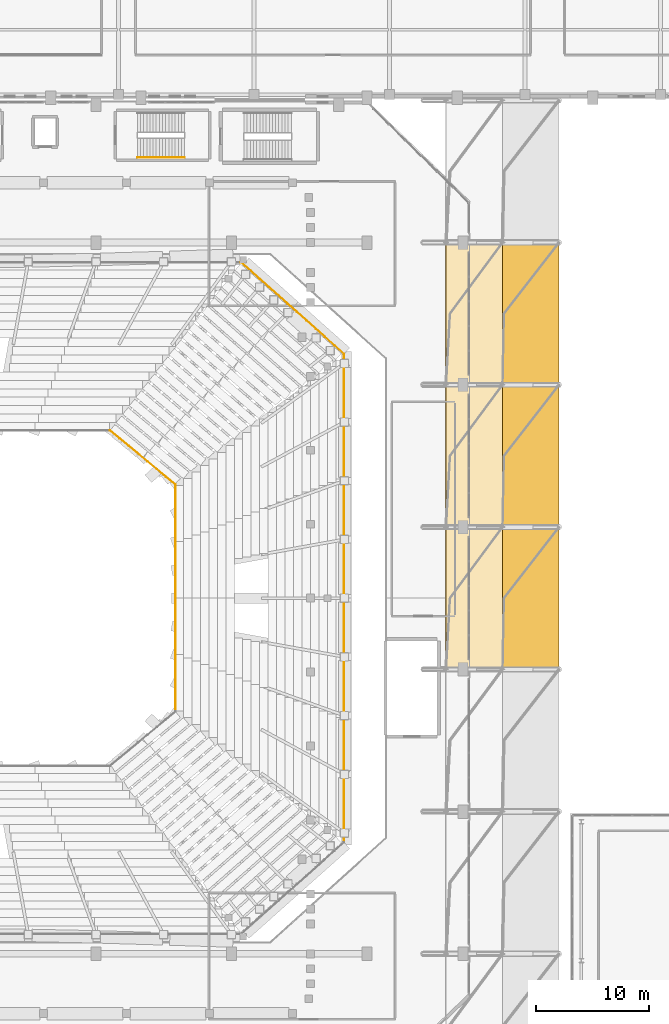
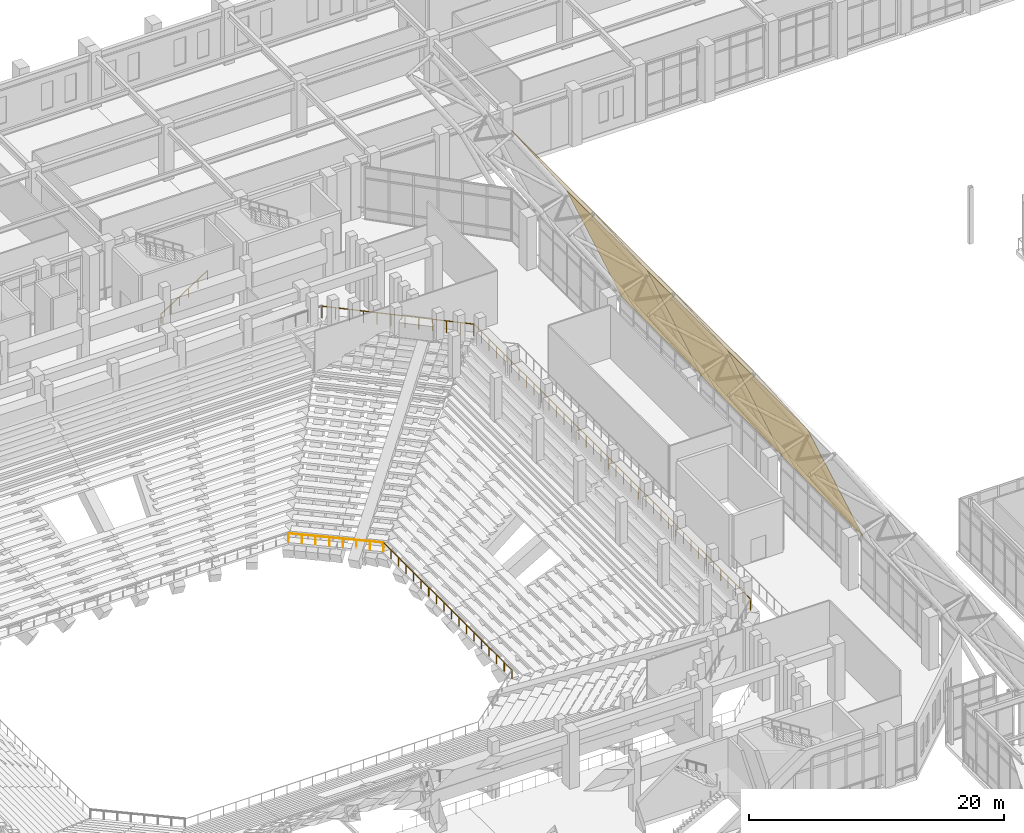
# One storey, part 152 of 159: 6 coverings, 5 railings.
"""IFC4 building model written with IfcOpenShell, lengths in metres."""

from ifc_helpers import new_model, si_unit, derived_unit, direction, frame, origin, origin_2d, place, context, subcontext, project, spatial, polyline, circle, outline, extrude, material, layer, layer_set, type_object, element, save


model = new_model("IFC4")

# Units and contexts
model_context = context("Model", 3, precision=1e-05, world=origin(), true_north=direction((0.0, 1.0)))
body_context = subcontext(model_context, "Body", "Model", "MODEL_VIEW")
ifc_project = project(units=[si_unit("LENGTHUNIT", "METRE"), si_unit("AREAUNIT", "SQUARE_METRE"), si_unit("VOLUMEUNIT", "CUBIC_METRE"), si_unit("PLANEANGLEUNIT", "RADIAN"), si_unit("MASSUNIT", "GRAM", prefix="KILO"), derived_unit("THERMALTRANSMITTANCEUNIT", [(si_unit("MASSUNIT", "GRAM", prefix="KILO"), 1), (si_unit("TIMEUNIT", "SECOND"), -3), (si_unit("THERMODYNAMICTEMPERATUREUNIT", "KELVIN"), -1)])], contexts=[model_context])

# Site, building, storey
site_placement = place(None, origin())
site = spatial("IfcSite", under=ifc_project, at=site_placement, CompositionType="ELEMENT")
building_placement = place(site_placement, origin())
building = spatial("IfcBuilding", under=site, at=building_placement, Name="Valcora Ridge Arena", CompositionType="ELEMENT")
storey_placement = place(building_placement, frame((0.0, 0.0, 6.0)))
storey = spatial("IfcBuildingStorey", under=building, at=storey_placement, Name="L01", CompositionType="ELEMENT", Elevation=6.0)

# Coverings
ifc_material_1 = material(Name="Weathered zinc-bronze standing-seam metal Grade Z275")
ifc_layer = layer(ifc_material_1, 0.0400390625, Name="Weathered zinc-bronze standing-seam metal Grade Z275")
ifc_layer_set = layer_set([ifc_layer], Name="Weathered zinc-bronze standing-seam metal Grade Z275")
covering_type = type_object("IfcCoveringType", Name="TY-COVERING-COV-ZINC-SKIRT", PredefinedType="ROOFING", material=ifc_layer_set)
covering_1_placement = place(storey_placement, frame((101.0, 57.800048828125, 13.49365234375), z_axis=(0.831958588032, 0.0, 0.554837731053), x_axis=(0.554837731053, 0.0, -0.831958588032)))
element("IfcCovering", 1, at=covering_1_placement, inside=storey, type_object=covering_type, Name="COV-ZINC-SKIRT COV-RF-0055", PredefinedType="ROOFING", context=body_context, shape_type="SweptSolid", body=[
    extrude(outline(polyline([(0.0, 0.0), (9.0116438017177, 0.0), (9.0116438017177, 12.599853515625), (0.0, 12.599853515625), (0.0, 0.0)])), origin(), (0.0, 0.0, -1.0), 0.0400390625),
])
covering_2_placement = place(storey_placement, frame((106.0, 57.800048828125, 5.996337890625), z_axis=(0.922302243293, 0.0, 0.386469367501), x_axis=(0.386469367501, 0.0, -0.922302243293)))
element("IfcCovering", 2, at=covering_2_placement, inside=storey, type_object=covering_type, Name="COV-ZINC-SKIRT COV-RF-0056", PredefinedType="ROOFING", context=body_context, shape_type="SweptSolid", body=[
    extrude(outline(polyline([(0.0, 0.0), (12.963536535956578, 0.0), (12.963536535956578, 12.599853515624996), (0.0, 12.599853515624996), (0.0, 0.0)])), origin(), (0.0, 0.0, -1.0), 0.0400390625),
])
covering_3_placement = place(storey_placement, frame((101.0, 70.39990234375, 13.49365234375), z_axis=(0.831958588032, 0.0, 0.554837731053), x_axis=(0.554837731053, 0.0, -0.831958588032)))
element("IfcCovering", 3, at=covering_3_placement, inside=storey, type_object=covering_type, Name="COV-ZINC-SKIRT COV-RF-0069", PredefinedType="ROOFING", context=body_context, shape_type="SweptSolid", body=[
    extrude(outline(polyline([(0.0, 0.0), (9.0116438017177, 0.0), (9.0116438017177, 12.60009765625), (0.0, 12.60009765625), (0.0, 0.0)])), origin(), (0.0, 0.0, -1.0), 0.0400390625),
])
covering_4_placement = place(storey_placement, frame((106.0, 70.39990234375, 5.996337890625), z_axis=(0.922302243293, 0.0, 0.386469367501), x_axis=(0.386469367501, 0.0, -0.922302243293)))
element("IfcCovering", 4, at=covering_4_placement, inside=storey, type_object=covering_type, Name="COV-ZINC-SKIRT COV-RF-0070", PredefinedType="ROOFING", context=body_context, shape_type="SweptSolid", body=[
    extrude(outline(polyline([(0.0, 0.0), (12.963536535956582, 0.0), (12.963536535956582, 12.600097656250004), (0.0, 12.600097656250004), (0.0, 0.0)])), origin(), (0.0, 0.0, -1.0), 0.0400390625),
])
covering_5_placement = place(storey_placement, frame((101.0, 83.0, 13.49365234375), z_axis=(0.831958588032, 0.0, 0.554837731053), x_axis=(0.554837731053, 0.0, -0.831958588032)))
element("IfcCovering", 5, at=covering_5_placement, inside=storey, type_object=covering_type, Name="COV-ZINC-SKIRT COV-RF-0083", PredefinedType="ROOFING", context=body_context, shape_type="SweptSolid", body=[
    extrude(outline(polyline([(0.0, 0.0), (9.0116438017177, 0.0), (9.0116438017177, 12.60009765625), (0.0, 12.60009765625), (0.0, 0.0)])), origin(), (0.0, 0.0, -1.0), 0.0400390625),
])
covering_6_placement = place(storey_placement, frame((106.0, 83.0, 5.996337890625), z_axis=(0.922302243293, 0.0, 0.386469367501), x_axis=(0.386469367501, 0.0, -0.922302243293)))
element("IfcCovering", 6, at=covering_6_placement, inside=storey, type_object=covering_type, Name="COV-ZINC-SKIRT COV-RF-0084", PredefinedType="ROOFING", context=body_context, shape_type="SweptSolid", body=[
    extrude(outline(polyline([(0.0, 0.0), (12.963536535956582, 0.0), (12.963536535956582, 12.600097656250004), (0.0, 12.600097656250004), (0.0, 0.0)])), origin(), (0.0, 0.0, -1.0), 0.0400390625),
])

# Railings
ifc_material_2 = material(Name="Galvanized painted steel ASTM A500 Grade B", Category="steel")
railing_type_1 = type_object("IfcRailingType", Name="TY-RAILING-BAL-BOWL-850", PredefinedType="BALUSTRADE", material=ifc_material_2)
railing_1_placement = place(storey_placement, frame((77.050048828125, 54.050048828125, -5.39990234375)))
element("IfcRailing", 7, at=railing_1_placement, inside=storey, type_object=railing_type_1, Name="BAL-BOWL-850 RAL-BW-0003", PredefinedType="BALUSTRADE", context=body_context, shape_type="SweptSolid", body=[
    extrude(circle(Radius=0.02392578125, at=origin_2d()), frame((0.0, 0.0, 0.826171875), z_axis=(0.0, 1.0, 0.0), x_axis=(-1.0, 0.0, 0.0)), (0.0, 0.0, 1.0), 20.099853515625),
    extrude(circle(Radius=0.02099609375, at=origin_2d()), origin(), (0.0, 0.0, 1.0), 0.802001953125),
    extrude(circle(Radius=0.02099609375, at=origin_2d()), frame((0.0, 1.182373046875, 0.0)), (0.0, 0.0, 1.0), 0.802001953125),
    extrude(circle(Radius=0.02099609375, at=origin_2d()), frame((0.0, 2.36474609375, 0.0)), (0.0, 0.0, 1.0), 0.802001953125),
    extrude(circle(Radius=0.02099609375, at=origin_2d()), frame((0.0, 3.547119140625, 0.0)), (0.0, 0.0, 1.0), 0.802001953125),
    extrude(circle(Radius=0.02099609375, at=origin_2d()), frame((0.0, 4.7294921875, 0.0)), (0.0, 0.0, 1.0), 0.802001953125),
    extrude(circle(Radius=0.02099609375, at=origin_2d()), frame((0.0, 5.91162109375, 0.0)), (0.0, 0.0, 1.0), 0.802001953125),
    extrude(circle(Radius=0.02099609375, at=origin_2d()), frame((0.0, 7.093994140625, 0.0)), (0.0, 0.0, 1.0), 0.802001953125),
    extrude(circle(Radius=0.02099609375, at=origin_2d()), frame((0.0, 8.2763671875, 0.0)), (0.0, 0.0, 1.0), 0.802001953125),
    extrude(circle(Radius=0.02099609375, at=origin_2d()), frame((0.0, 9.458740234375, 0.0)), (0.0, 0.0, 1.0), 0.802001953125),
    extrude(circle(Radius=0.02099609375, at=origin_2d()), frame((0.0, 10.64111328125, 0.0)), (0.0, 0.0, 1.0), 0.802001953125),
    extrude(circle(Radius=0.02099609375, at=origin_2d()), frame((0.0, 11.823486328125, 0.0)), (0.0, 0.0, 1.0), 0.802001953125),
    extrude(circle(Radius=0.02099609375, at=origin_2d()), frame((0.0, 13.005859375, 0.0)), (0.0, 0.0, 1.0), 0.802001953125),
    extrude(circle(Radius=0.02099609375, at=origin_2d()), frame((0.0, 14.188232421875, 0.0)), (0.0, 0.0, 1.0), 0.802001953125),
    extrude(circle(Radius=0.02099609375, at=origin_2d()), frame((0.0, 15.370361328125, 0.0)), (0.0, 0.0, 1.0), 0.802001953125),
    extrude(circle(Radius=0.02099609375, at=origin_2d()), frame((0.0, 16.552734375, 0.0)), (0.0, 0.0, 1.0), 0.802001953125),
    extrude(circle(Radius=0.02099609375, at=origin_2d()), frame((0.0, 17.735107421875, 0.0)), (0.0, 0.0, 1.0), 0.802001953125),
    extrude(circle(Radius=0.02099609375, at=origin_2d()), frame((0.0, 18.91748046875, 0.0)), (0.0, 0.0, 1.0), 0.802001953125),
    extrude(circle(Radius=0.02099609375, at=origin_2d()), frame((0.0, 20.099853515625, 0.0)), (0.0, 0.0, 1.0), 0.802001953125),
])
railing_2_placement = place(storey_placement, frame((77.050048828125, 74.14990234375, -5.39990234375)))
element("IfcRailing", 8, at=railing_2_placement, inside=storey, type_object=railing_type_1, Name="BAL-BOWL-850 RAL-BW-0004", PredefinedType="BALUSTRADE", context=body_context, shape_type="SweptSolid", body=[
    extrude(circle(Radius=0.02392578125, at=origin_2d()), frame((0.0, 0.0, 0.826171875), z_axis=(-0.770393771884, 0.6375683777, 0.0), x_axis=(-0.6375683777, -0.770393771884, 0.0)), (0.0, 0.0, 1.0), 7.528564453125),
    extrude(circle(Radius=0.02099609375, at=origin_2d()), origin(), (0.0, 0.0, 1.0), 0.802001953125),
    extrude(circle(Radius=0.02099609375, at=origin_2d()), frame((-0.82861328125, 0.685791015625, 0.0)), (0.0, 0.0, 1.0), 0.802001953125),
    extrude(circle(Radius=0.02099609375, at=origin_2d()), frame((-1.6572265625, 1.371337890625, 0.0)), (0.0, 0.0, 1.0), 0.802001953125),
    extrude(circle(Radius=0.02099609375, at=origin_2d()), frame((-2.48583984375, 2.05712890625, 0.0)), (0.0, 0.0, 1.0), 0.802001953125),
    extrude(circle(Radius=0.02099609375, at=origin_2d()), frame((-3.314208984375, 2.742919921875, 0.0)), (0.0, 0.0, 1.0), 0.802001953125),
    extrude(circle(Radius=0.02099609375, at=origin_2d()), frame((-4.142822265625, 3.4287109375, 0.0)), (0.0, 0.0, 1.0), 0.802001953125),
    extrude(circle(Radius=0.02099609375, at=origin_2d()), frame((-4.971435546875, 4.1142578125, 0.0)), (0.0, 0.0, 1.0), 0.802001953125),
    extrude(circle(Radius=0.02099609375, at=origin_2d()), frame((-5.800048828125, 4.800048828125, 0.0)), (0.0, 0.0, 1.0), 0.802001953125),
])
railing_type_2 = type_object("IfcRailingType", Name="TY-RAILING-GRD-VOID-1120", PredefinedType="GUARDRAIL", material=ifc_material_2)
railing_3_placement = place(storey_placement, frame((91.949951171875, 42.449951171875, 2.9599609375)))
element("IfcRailing", 9, at=railing_3_placement, inside=storey, type_object=railing_type_2, Name="GRD-VOID-1120 RAL-BW-0011", PredefinedType="GUARDRAIL", context=body_context, shape_type="SweptSolid", body=[
    extrude(circle(Radius=0.02392578125, at=origin_2d()), frame((0.0, 0.0, 1.09619140625), z_axis=(0.0, 1.0, 0.0), x_axis=(-1.0, 0.0, 0.0)), (0.0, 0.0, 1.0), 43.300048828125),
    extrude(circle(Radius=0.02099609375, at=origin_2d()), origin(), (0.0, 0.0, 1.0), 1.072021484375),
    extrude(circle(Radius=0.02099609375, at=origin_2d()), frame((0.0, 1.170166015625, 0.0)), (0.0, 0.0, 1.0), 1.072021484375),
    extrude(circle(Radius=0.02099609375, at=origin_2d()), frame((0.0, 2.340576171875, 0.0)), (0.0, 0.0, 1.0), 1.072021484375),
    extrude(circle(Radius=0.02099609375, at=origin_2d()), frame((0.0, 3.5107421875, 0.0)), (0.0, 0.0, 1.0), 1.072021484375),
    extrude(circle(Radius=0.02099609375, at=origin_2d()), frame((0.0, 4.68115234375, 0.0)), (0.0, 0.0, 1.0), 1.072021484375),
    extrude(circle(Radius=0.02099609375, at=origin_2d()), frame((0.0, 5.851318359375, 0.0)), (0.0, 0.0, 1.0), 1.072021484375),
    extrude(circle(Radius=0.02099609375, at=origin_2d()), frame((0.0, 7.021728515625, 0.0)), (0.0, 0.0, 1.0), 1.072021484375),
    extrude(circle(Radius=0.02099609375, at=origin_2d()), frame((0.0, 8.19189453125, 0.0)), (0.0, 0.0, 1.0), 1.072021484375),
    extrude(circle(Radius=0.02099609375, at=origin_2d()), frame((0.0, 9.362060546875, 0.0)), (0.0, 0.0, 1.0), 1.072021484375),
    extrude(circle(Radius=0.02099609375, at=origin_2d()), frame((0.0, 10.532470703125, 0.0)), (0.0, 0.0, 1.0), 1.072021484375),
    extrude(circle(Radius=0.02099609375, at=origin_2d()), frame((0.0, 11.70263671875, 0.0)), (0.0, 0.0, 1.0), 1.072021484375),
    extrude(circle(Radius=0.02099609375, at=origin_2d()), frame((0.0, 12.873046875, 0.0)), (0.0, 0.0, 1.0), 1.072021484375),
    extrude(circle(Radius=0.02099609375, at=origin_2d()), frame((0.0, 14.043212890625, 0.0)), (0.0, 0.0, 1.0), 1.072021484375),
    extrude(circle(Radius=0.02099609375, at=origin_2d()), frame((0.0, 15.213623046875, 0.0)), (0.0, 0.0, 1.0), 1.072021484375),
    extrude(circle(Radius=0.02099609375, at=origin_2d()), frame((0.0, 16.3837890625, 0.0)), (0.0, 0.0, 1.0), 1.072021484375),
    extrude(circle(Radius=0.02099609375, at=origin_2d()), frame((0.0, 17.553955078125, 0.0)), (0.0, 0.0, 1.0), 1.072021484375),
    extrude(circle(Radius=0.02099609375, at=origin_2d()), frame((0.0, 18.724365234375, 0.0)), (0.0, 0.0, 1.0), 1.072021484375),
    extrude(circle(Radius=0.02099609375, at=origin_2d()), frame((0.0, 19.89453125, 0.0)), (0.0, 0.0, 1.0), 1.072021484375),
    extrude(circle(Radius=0.02099609375, at=origin_2d()), frame((0.0, 21.06494140625, 0.0)), (0.0, 0.0, 1.0), 1.072021484375),
    extrude(circle(Radius=0.02099609375, at=origin_2d()), frame((0.0, 22.235107421875, 0.0)), (0.0, 0.0, 1.0), 1.072021484375),
    extrude(circle(Radius=0.02099609375, at=origin_2d()), frame((0.0, 23.405517578125, 0.0)), (0.0, 0.0, 1.0), 1.072021484375),
    extrude(circle(Radius=0.02099609375, at=origin_2d()), frame((0.0, 24.57568359375, 0.0)), (0.0, 0.0, 1.0), 1.072021484375),
    extrude(circle(Radius=0.02099609375, at=origin_2d()), frame((0.0, 25.74609375, 0.0)), (0.0, 0.0, 1.0), 1.072021484375),
    extrude(circle(Radius=0.02099609375, at=origin_2d()), frame((0.0, 26.916259765625, 0.0)), (0.0, 0.0, 1.0), 1.072021484375),
    extrude(circle(Radius=0.02099609375, at=origin_2d()), frame((0.0, 28.08642578125, 0.0)), (0.0, 0.0, 1.0), 1.072021484375),
    extrude(circle(Radius=0.02099609375, at=origin_2d()), frame((0.0, 29.2568359375, 0.0)), (0.0, 0.0, 1.0), 1.072021484375),
    extrude(circle(Radius=0.02099609375, at=origin_2d()), frame((0.0, 30.427001953125, 0.0)), (0.0, 0.0, 1.0), 1.072021484375),
    extrude(circle(Radius=0.02099609375, at=origin_2d()), frame((0.0, 31.597412109375, 0.0)), (0.0, 0.0, 1.0), 1.072021484375),
    extrude(circle(Radius=0.02099609375, at=origin_2d()), frame((0.0, 32.767578125, 0.0)), (0.0, 0.0, 1.0), 1.072021484375),
    extrude(circle(Radius=0.02099609375, at=origin_2d()), frame((0.0, 33.93798828125, 0.0)), (0.0, 0.0, 1.0), 1.072021484375),
    extrude(circle(Radius=0.02099609375, at=origin_2d()), frame((0.0, 35.108154296875, 0.0)), (0.0, 0.0, 1.0), 1.072021484375),
    extrude(circle(Radius=0.02099609375, at=origin_2d()), frame((0.0, 36.2783203125, 0.0)), (0.0, 0.0, 1.0), 1.072021484375),
    extrude(circle(Radius=0.02099609375, at=origin_2d()), frame((0.0, 37.44873046875, 0.0)), (0.0, 0.0, 1.0), 1.072021484375),
    extrude(circle(Radius=0.02099609375, at=origin_2d()), frame((0.0, 38.618896484375, 0.0)), (0.0, 0.0, 1.0), 1.072021484375),
    extrude(circle(Radius=0.02099609375, at=origin_2d()), frame((0.0, 39.789306640625, 0.0)), (0.0, 0.0, 1.0), 1.072021484375),
    extrude(circle(Radius=0.02099609375, at=origin_2d()), frame((0.0, 40.95947265625, 0.0)), (0.0, 0.0, 1.0), 1.072021484375),
    extrude(circle(Radius=0.02099609375, at=origin_2d()), frame((0.0, 42.1298828125, 0.0)), (0.0, 0.0, 1.0), 1.072021484375),
    extrude(circle(Radius=0.02099609375, at=origin_2d()), frame((0.0, 43.300048828125, 0.0)), (0.0, 0.0, 1.0), 1.072021484375),
])
railing_4_placement = place(storey_placement, frame((91.949951171875, 85.75, 2.9599609375)))
element("IfcRailing", 10, at=railing_4_placement, inside=storey, type_object=railing_type_2, Name="GRD-VOID-1120 RAL-BW-0012", PredefinedType="GUARDRAIL", context=body_context, shape_type="SweptSolid", body=[
    extrude(circle(Radius=0.02392578125, at=origin_2d()), frame((0.0, 0.0, 1.09619140625), z_axis=(-0.746946976418, 0.66488360968, 0.0), x_axis=(-0.66488360968, -0.746946976418, 0.0)), (0.0, 0.0, 1.0), 12.1826171875),
    extrude(circle(Radius=0.02099609375, at=origin_2d()), origin(), (0.0, 0.0, 1.0), 1.072021484375),
    extrude(circle(Radius=0.02099609375, at=origin_2d()), frame((-0.8271484375, 0.736328125, 0.0)), (0.0, 0.0, 1.0), 1.072021484375),
    extrude(circle(Radius=0.02099609375, at=origin_2d()), frame((-1.654541015625, 1.47265625, 0.0)), (0.0, 0.0, 1.0), 1.072021484375),
    extrude(circle(Radius=0.02099609375, at=origin_2d()), frame((-2.481689453125, 2.209228515625, 0.0)), (0.0, 0.0, 1.0), 1.072021484375),
    extrude(circle(Radius=0.02099609375, at=origin_2d()), frame((-3.30908203125, 2.945556640625, 0.0)), (0.0, 0.0, 1.0), 1.072021484375),
    extrude(circle(Radius=0.02099609375, at=origin_2d()), frame((-4.13623046875, 3.681884765625, 0.0)), (0.0, 0.0, 1.0), 1.072021484375),
    extrude(circle(Radius=0.02099609375, at=origin_2d()), frame((-4.963623046875, 4.418212890625, 0.0)), (0.0, 0.0, 1.0), 1.072021484375),
    extrude(circle(Radius=0.02099609375, at=origin_2d()), frame((-5.790771484375, 5.154541015625, 0.0)), (0.0, 0.0, 1.0), 1.072021484375),
    extrude(circle(Radius=0.02099609375, at=origin_2d()), frame((-6.6181640625, 5.890869140625, 0.0)), (0.0, 0.0, 1.0), 1.072021484375),
    extrude(circle(Radius=0.02099609375, at=origin_2d()), frame((-7.4453125, 6.62744140625, 0.0)), (0.0, 0.0, 1.0), 1.072021484375),
    extrude(circle(Radius=0.02099609375, at=origin_2d()), frame((-8.272705078125, 7.36376953125, 0.0)), (0.0, 0.0, 1.0), 1.072021484375),
    extrude(circle(Radius=0.02099609375, at=origin_2d()), frame((-9.099853515625, 8.10009765625, 0.0)), (0.0, 0.0, 1.0), 1.072021484375),
])
railing_type_3 = type_object("IfcRailingType", Name="TY-RAILING-HR-STAIR-900", PredefinedType="HANDRAIL", material=ifc_material_2)
railing_5_placement = place(storey_placement, frame((73.659912109375, 103.139892578125, 0.0)))
element("IfcRailing", 11, at=railing_5_placement, inside=storey, type_object=railing_type_3, Name="HR-STAIR-900 RAL-SH-0123", PredefinedType="HANDRAIL", context=body_context, shape_type="SweptSolid", body=[
    extrude(circle(Radius=0.02392578125, at=origin_2d()), frame((0.0, 0.0, 0.8759765625), z_axis=(0.841194361566, 0.0, 0.540732878665), x_axis=(0.0, 1.0, 0.0)), (0.0, 0.0, 1.0), 4.9931640625),
    extrude(circle(Radius=0.02099609375, at=origin_2d()), origin(), (0.0, 0.0, 1.0), 0.851806640625),
    extrude(circle(Radius=0.02099609375, at=origin_2d()), frame((0.840087890625, 0.0, 0.5400390625)), (0.0, 0.0, 1.0), 0.851806640625),
    extrude(circle(Radius=0.02099609375, at=origin_2d()), frame((1.68017578125, 0.0, 1.080078125)), (0.0, 0.0, 1.0), 0.851806640625),
    extrude(circle(Radius=0.02099609375, at=origin_2d()), frame((2.52001953125, 0.0, 1.619873046875)), (0.0, 0.0, 1.0), 0.851806640625),
    extrude(circle(Radius=0.02099609375, at=origin_2d()), frame((3.360107421875, 0.0, 2.159912109375)), (0.0, 0.0, 1.0), 0.851806640625),
    extrude(circle(Radius=0.02099609375, at=origin_2d()), frame((4.2001953125, 0.0, 2.699951171875)), (0.0, 0.0, 1.0), 0.851806640625),
])

save(model, "model.ifc")
